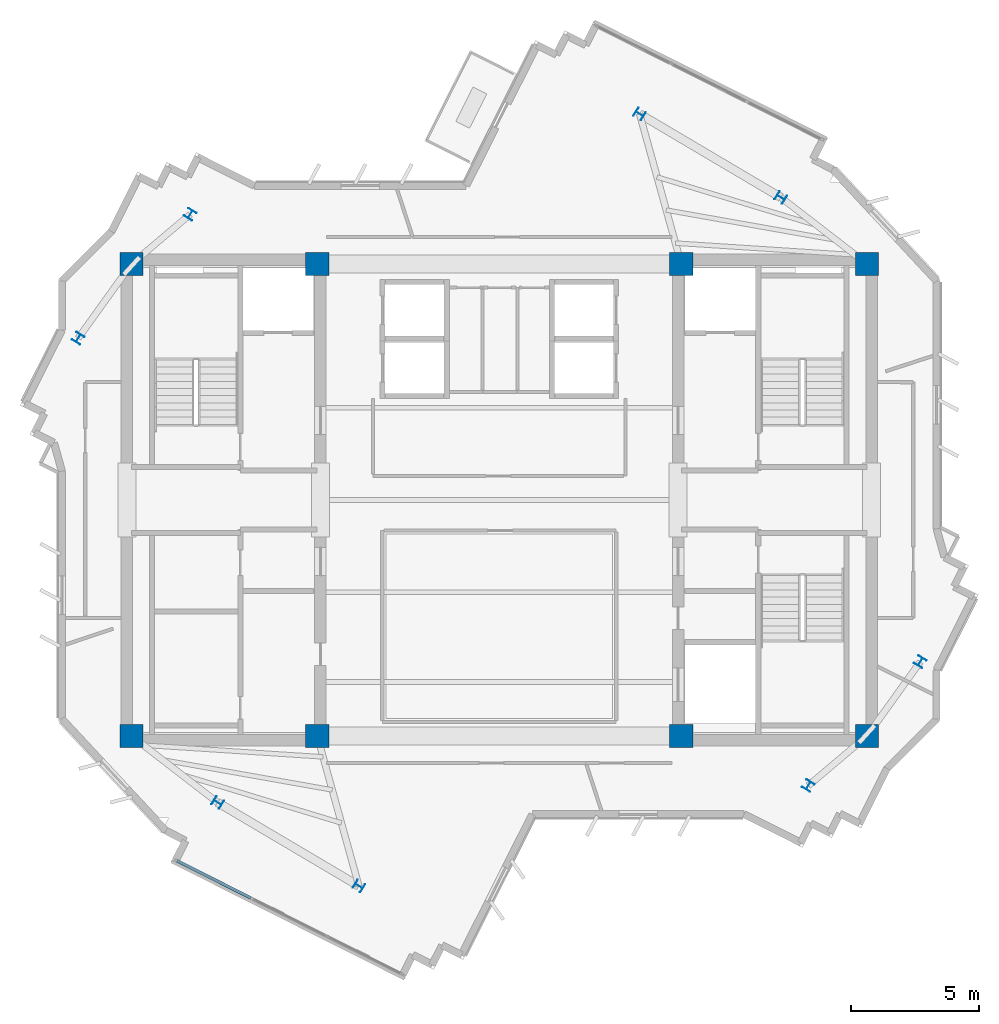
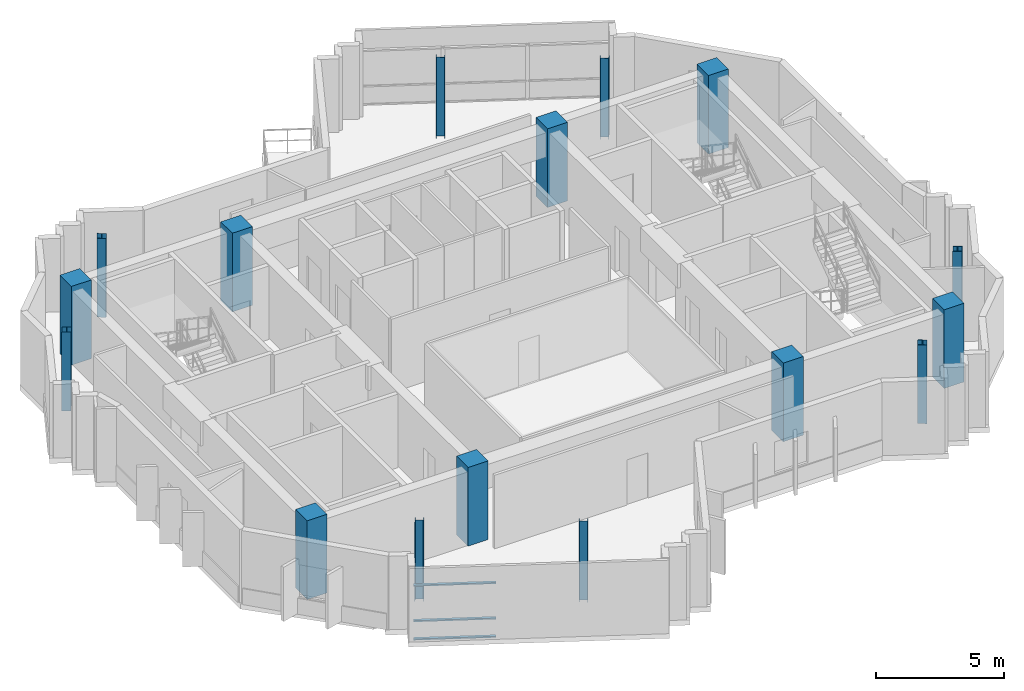
# One storey, part 1 of 11: 16 columns, 3 members, 1 element without a shape of its own.
"""IFC4 building model written with IfcOpenShell, lengths in metres."""

from ifc_helpers import new_model, si_unit, direction, frame, origin, origin_2d, place, context, subcontext, project, spatial, rectangle, i_section, extrude, source, transform, mapped, material, layer, layer_set, material_profile, profile_set, type_object, element, aggregate, save


model = new_model("IFC4")

# Units and contexts
model_context = context("Model", 3, precision=1e-05, world=origin(), true_north=direction((0.0, 1.0)))
body_context = subcontext(model_context, "Body", "Model", "MODEL_VIEW")
ifc_project = project(units=[si_unit("LENGTHUNIT", "METRE"), si_unit("AREAUNIT", "SQUARE_METRE"), si_unit("VOLUMEUNIT", "CUBIC_METRE"), si_unit("PLANEANGLEUNIT", "RADIAN"), si_unit("MASSUNIT", "GRAM", prefix="KILO")], contexts=[model_context])

# Site, building, storey
site_placement = place(None, origin())
site = spatial("IfcSite", under=ifc_project, at=site_placement, CompositionType="ELEMENT")
building_placement = place(site_placement, origin())
building = spatial("IfcBuilding", under=site, at=building_placement, Name="Zahravan Cultural Tower", CompositionType="ELEMENT")
storey_placement = place(building_placement, frame((0.0, 0.0, 353.550048828125)))
storey = spatial("IfcBuildingStorey", under=building, at=storey_placement, Name="L86", CompositionType="ELEMENT", Elevation=353.550048828125)

# Columns
ifc_material_1 = material(Name="Concrete C50/60", Category="concrete")
ifc_material_profile_1 = material_profile(ifc_material_1, rectangle(XDim=0.89990234375, YDim=0.89990234375, at=origin_2d()), Name="RC900X900")
ifc_profile_set_1 = profile_set([ifc_material_profile_1], Name="Concrete C50/60")
column_type_1 = type_object("IfcColumnType", Name="COL-RC900", PredefinedType="COLUMN", material=ifc_profile_set_1)
shared_shape_1 = source(origin(), body_context, "Body", "SweptSolid", [
    extrude(rectangle(XDim=0.89990234375, YDim=0.89990234375, at=origin_2d()), origin(), (0.0, 0.0, 1.0), 3.75),
])
for number, where, z_axis, x_axis, name in (
    (1, (21.64990234375, 17.800048828125, 0.0), (0.0, 0.0, 1.0), (1.0, 0.0, 0.0), "L86 Column CC-W1"),
    (2, (28.89990234375, 17.800048828125, 0.0), (0.0, 0.0, 1.0), (1.0, 0.0, 0.0), "L86 Column CC-W2"),
    (3, (21.64990234375, 36.199951171875, 0.0), (0.0, 0.0, 1.0), (1.0, 0.0, 0.0), "L86 Column CC-W3"),
    (4, (28.89990234375, 36.199951171875, 0.0), (0.0, 0.0, 1.0), (1.0, 0.0, 0.0), "L86 Column CC-W4"),
    (5, (43.10009765625, 17.800048828125, 0.0), (0.0, 0.0, 1.0), (1.0, 0.0, 0.0), "L86 Column CC-E1"),
    (6, (50.35009765625, 17.800048828125, 0.0), (0.0, 0.0, 1.0), (1.0, 0.0, 0.0), "L86 Column CC-E2"),
    (7, (43.10009765625, 36.199951171875, 0.0), (0.0, 0.0, 1.0), (1.0, 0.0, 0.0), "L86 Column CC-E3"),
    (8, (50.35009765625, 36.199951171875, 0.0), (0.0, 0.0, 1.0), (1.0, 0.0, 0.0), "L86 Column CC-E4"),
):
    element("IfcColumn", number, at=place(storey_placement, frame(where, z_axis=z_axis, x_axis=x_axis)), inside=storey, type_object=column_type_1, Name=name, PredefinedType="COLUMN", context=body_context, shape_type="MappedRepresentation", body=[
        mapped(shared_shape_1, transform((0.0, 0.0, 0.0), x_axis=(1.0, 0.0, 0.0), y_axis=(0.0, 1.0, 0.0), z_axis=(0.0, 0.0, 1.0), scale=1.0)),
    ])
ifc_material_2 = material(Name="Steel ASTM A992 Grade 50", Category="steel")
ifc_material_profile_2 = material_profile(ifc_material_2, i_section(OverallWidth=0.368896484375, OverallDepth=0.35595703125, WebThickness=0.01123046875, FlangeThickness=0.01806640625, FilletRadius=0.01806640625, at=origin_2d()), Name="W14X90")
ifc_profile_set_2 = profile_set([ifc_material_profile_2], Name="Steel ASTM A992 Grade 50")
column_type_2 = type_object("IfcColumnType", Name="COL-W14X90", PredefinedType="COLUMN", material=ifc_profile_set_2)
shared_shape_2 = source(origin(), body_context, "Body", "SweptSolid", [
    extrude(i_section(OverallWidth=0.368896484375, OverallDepth=0.35595703125, WebThickness=0.01123046875, FlangeThickness=0.01806640625, FilletRadius=0.01806640625, at=origin_2d()), origin(), (0.0, 0.0, 1.0), 3.75),
])
for number, where, z_axis, x_axis, name in (
    (9, (46.98388671875, 38.7998046875, 0.0), (0.0, 0.0, 1.0), (0.522498564716, 0.852640164354, 0.0), "L86 Column Z4C-E1"),
    (10, (41.474853515625, 42.058349609375, 0.0), (0.0, 0.0, 1.0), (0.522498564716, 0.852640164354, 0.0), "L86 Column Z4C-E2"),
    (11, (23.944580078125, 38.140625, 0.0), (0.0, 0.0, 1.0), (-0.852640164354, 0.522498564716, 0.0), "L86 Column Z4C-N1"),
    (12, (19.577392578125, 33.310791015625, 0.0), (0.0, 0.0, 1.0), (-0.852640164354, 0.522498564716, 0.0), "L86 Column Z4C-N2"),
    (13, (25.01611328125, 15.2001953125, 0.0), (0.0, 0.0, 1.0), (0.522498564716, 0.852640164354, 0.0), "L86 Column Z4C-W1"),
    (14, (30.525146484375, 11.941650390625, 0.0), (0.0, 0.0, 1.0), (0.522498564716, 0.852640164354, 0.0), "L86 Column Z4C-W2"),
    (15, (48.055419921875, 15.859375, 0.0), (0.0, 0.0, 1.0), (-0.852640164354, 0.522498564716, 0.0), "L86 Column Z4C-S1"),
    (16, (52.422607421875, 20.689208984375, 0.0), (0.0, 0.0, 1.0), (-0.852640164354, 0.522498564716, 0.0), "L86 Column Z4C-S2"),
):
    element("IfcColumn", number, at=place(storey_placement, frame(where, z_axis=z_axis, x_axis=x_axis)), inside=storey, type_object=column_type_2, Name=name, PredefinedType="COLUMN", context=body_context, shape_type="MappedRepresentation", body=[
        mapped(shared_shape_2, transform((0.0, 0.0, 0.0), x_axis=(1.0, 0.0, 0.0), y_axis=(0.0, 1.0, 0.0), z_axis=(0.0, 0.0, 1.0), scale=1.0)),
    ])

# Curtain wall, members
ifc_material_3 = material(Name="Anodised bronze-aluminium mullion", Category="aluminium")
ifc_layer = layer(ifc_material_3, 0.14990234375)
ifc_layer_set = layer_set([ifc_layer], Name="Anodised bronze-aluminium mullion")
curtain_wall_type = type_object("IfcCurtainWallType", Name="CW-SYS-6", PredefinedType="USERDEFINED", material=ifc_layer_set)
curtain_wall_placement = place(storey_placement, origin())
curtain_wall = element("IfcCurtainWall", 17, at=curtain_wall_placement, inside=storey, type_object=curtain_wall_type, Name="L86 Recessed Curtain Wall CW-6.2", ObjectType="OBSERVATORY LANTERN", PredefinedType="USERDEFINED")
ifc_material_profile_3 = material_profile(ifc_material_3, rectangle(XDim=0.1201171875, YDim=0.06005859375, at=origin_2d()), Name="AL-T60X120")
ifc_profile_set_3 = profile_set([ifc_material_profile_3], Name="Anodised bronze-aluminium mullion")
member_type = type_object("IfcMemberType", Name="CWT-CW-6", PredefinedType="USERDEFINED", material=ifc_profile_set_3)
shared_shape_3 = source(origin(), body_context, "Body", "SweptSolid", [
    extrude(rectangle(XDim=0.1201171875, YDim=0.06005859375, at=origin_2d()), origin(), (0.0, 0.0, 1.0), 3.216796875),
])
member_1_placement = place(storey_placement, frame((26.3095703125, 11.479248046875, 0.030029296875), z_axis=(-0.893377366752, 0.449307111645, 0.0), x_axis=(-0.449307111645, -0.893377366752, 0.0)))
member_1 = element("IfcMember", 18, at=member_1_placement, type_object=member_type, Name="CW-6 transom 3.1", ObjectType="TRANSOM", PredefinedType="USERDEFINED", context=body_context, shape_type="MappedRepresentation", body=[
    mapped(shared_shape_3, transform((0.0, 0.0, 0.0), x_axis=(1.0, 0.0, 0.0), y_axis=(0.0, 1.0, 0.0), z_axis=(0.0, 0.0, 1.0), scale=1.0)),
])
member_2_placement = place(storey_placement, frame((26.3095703125, 11.479248046875, 0.89990234375), z_axis=(-0.893377366752, 0.449307111645, 0.0), x_axis=(-0.449307111645, -0.893377366752, 0.0)))
member_2 = element("IfcMember", 19, at=member_2_placement, type_object=member_type, Name="CW-6 transom 3.2", ObjectType="TRANSOM", PredefinedType="USERDEFINED", context=body_context, shape_type="MappedRepresentation", body=[
    mapped(shared_shape_3, transform((0.0, 0.0, 0.0), x_axis=(1.0, 0.0, 0.0), y_axis=(0.0, 1.0, 0.0), z_axis=(0.0, 0.0, 1.0), scale=1.0)),
])
member_3_placement = place(storey_placement, frame((26.3095703125, 11.479248046875, 2.58984375), z_axis=(-0.893377366752, 0.449307111645, 0.0), x_axis=(-0.449307111645, -0.893377366752, 0.0)))
member_3 = element("IfcMember", 20, at=member_3_placement, type_object=member_type, Name="CW-6 transom 3.3", ObjectType="TRANSOM", PredefinedType="USERDEFINED", context=body_context, shape_type="MappedRepresentation", body=[
    mapped(shared_shape_3, transform((0.0, 0.0, 0.0), x_axis=(1.0, 0.0, 0.0), y_axis=(0.0, 1.0, 0.0), z_axis=(0.0, 0.0, 1.0), scale=1.0)),
])
aggregate(curtain_wall, [member_1, member_2, member_3])

save(model, "model.ifc")
